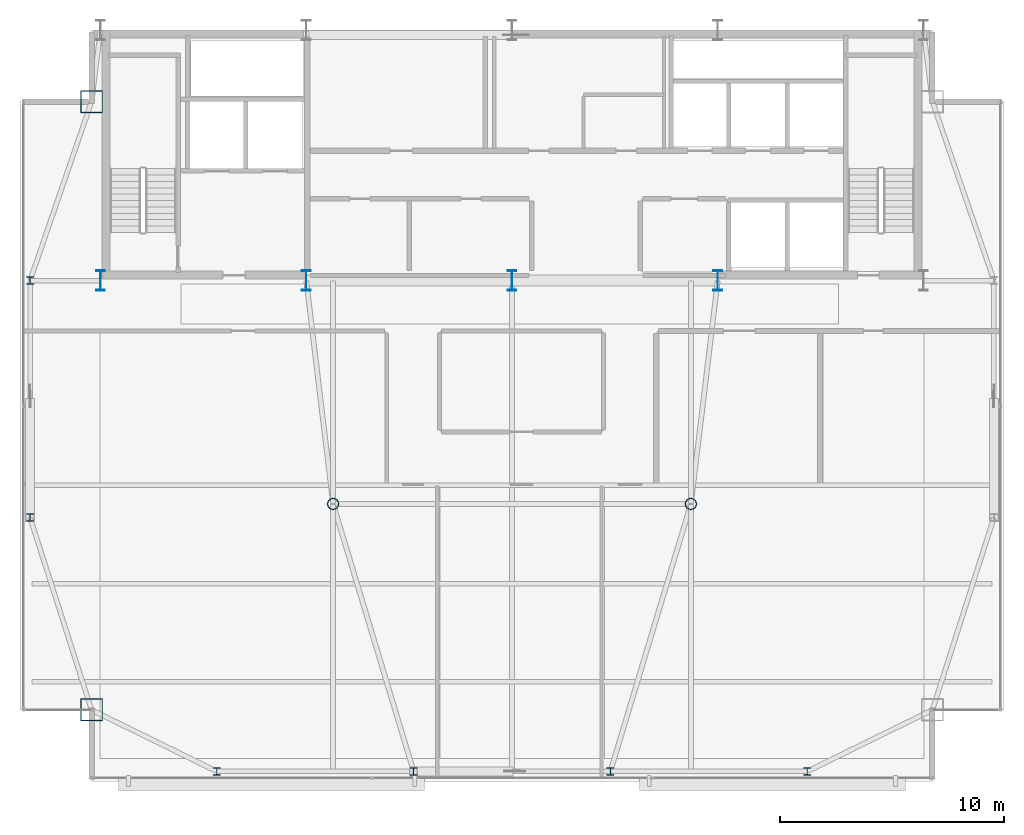
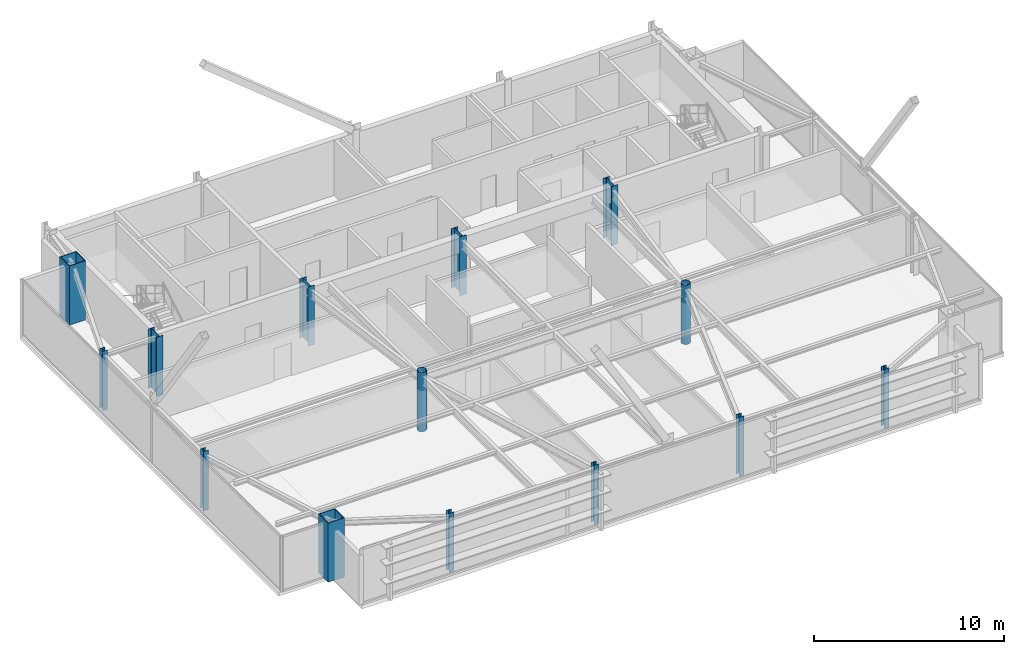
# One storey, part 1 of 24: 14 columns.
"""IFC4 building model written with IfcOpenShell, lengths in metres."""

from ifc_helpers import new_model, si_unit, direction, frame, origin, origin_2d, place, context, subcontext, project, spatial, hollow_rectangle, hollow_circle, i_section, extrude, source, transform, mapped, material, material_profile, profile_set, type_object, type_shapes, element, save


model = new_model("IFC4")

# Units and contexts
model_context = context("Model", 3, precision=1e-05, world=origin(), true_north=direction((0.0, 1.0)))
body_context = subcontext(model_context, "Body", "Model", "MODEL_VIEW")
ifc_project = project(units=[si_unit("LENGTHUNIT", "METRE"), si_unit("AREAUNIT", "SQUARE_METRE"), si_unit("VOLUMEUNIT", "CUBIC_METRE"), si_unit("PLANEANGLEUNIT", "RADIAN"), si_unit("MASSUNIT", "GRAM", prefix="KILO")], contexts=[model_context])

# Site, building, storey
site_placement = place(None, origin())
site = spatial("IfcSite", under=ifc_project, at=site_placement, CompositionType="ELEMENT")
building_placement = place(site_placement, origin())
building = spatial("IfcBuilding", under=site, at=building_placement, Name="Varnel Quay Broadcast Tower", CompositionType="ELEMENT")
storey_placement = place(building_placement, frame((0.0, 0.0, 277.39990234375)))
storey = spatial("IfcBuildingStorey", under=building, at=storey_placement, Name="L69", CompositionType="ELEMENT", Elevation=277.39990234375)

# Columns
ifc_material_1 = material(Name="Structural Steel CSA G40.21 350WT", Category="steel")
ifc_material_profile_1 = material_profile(ifc_material_1, i_section(OverallWidth=0.39990234375, OverallDepth=0.89990234375, WebThickness=0.01611328125, FlangeThickness=0.028076171875, FilletRadius=0.01611328125, at=origin_2d()), Name="WWF900X309")
ifc_profile_set_1 = profile_set([ifc_material_profile_1], Name="Structural Steel CSA G40.21 350WT")
column_type_1 = type_object("IfcColumnType", Name="Col_WWF900X309", PredefinedType="COLUMN", material=ifc_profile_set_1)
shared_shape_1 = source(origin(), body_context, "Body", "SweptSolid", [
    extrude(i_section(OverallWidth=0.39990234375, OverallDepth=0.89990234375, WebThickness=0.01611328125, FlangeThickness=0.028076171875, FilletRadius=0.01611328125, at=origin_2d()), origin(), (0.0, 0.0, 1.0), 3.800048828125),
])
type_shapes(column_type_1, [shared_shape_1])
for number, where, z_axis, x_axis, name in (
    (1, (15.60009765625, 35.60009765625, 0.0), (0.0, 0.0, 1.0), (1.0, 0.0, 0.0), "L69 Column CC-S1"),
    (2, (24.800048828125, 35.60009765625, 0.0), (0.0, 0.0, 1.0), (1.0, 0.0, 0.0), "L69 Column CC-S2"),
    (3, (34.0, 35.60009765625, 0.0), (0.0, 0.0, 1.0), (1.0, 0.0, 0.0), "L69 Column CC-S3"),
    (4, (43.199951171875, 35.60009765625, 0.0), (0.0, 0.0, 1.0), (1.0, 0.0, 0.0), "L69 Column CC-S4"),
):
    element("IfcColumn", number, at=place(storey_placement, frame(where, z_axis=z_axis, x_axis=x_axis)), inside=storey, type_object=column_type_1, Name=name, PredefinedType="COLUMN", context=body_context, shape_type="MappedRepresentation", body=[
        mapped(shared_shape_1, transform((0.0, 0.0, 0.0), x_axis=(1.0, 0.0, 0.0), y_axis=(0.0, 1.0, 0.0), z_axis=(0.0, 0.0, 1.0), scale=1.0)),
    ])
ifc_material_profile_2 = material_profile(ifc_material_1, hollow_rectangle(XDim=1.0, YDim=1.0, WallThickness=0.0400390625, at=origin_2d()), Name="BOX1000X1000X40")
ifc_profile_set_2 = profile_set([ifc_material_profile_2], Name="Structural Steel CSA G40.21 350WT")
column_type_2 = type_object("IfcColumnType", Name="Col_BOX1000X1000X40", PredefinedType="COLUMN", material=ifc_profile_set_2)
shared_shape_2 = source(origin(), body_context, "Body", "SweptSolid", [
    extrude(hollow_rectangle(XDim=1.0, YDim=1.0, WallThickness=0.0400390625, at=origin_2d()), origin(), (0.0, 0.0, 1.0), 3.800048828125),
])
type_shapes(column_type_2, [shared_shape_2])
for number, where, z_axis, x_axis, name in (
    (5, (15.199951171875, 16.39990234375, 0.0), (0.0, 0.0, 1.0), (1.0, 0.0, 0.0), "L69 Column MC-SW"),
    (6, (15.199951171875, 43.60009765625, 0.0), (0.0, 0.0, 1.0), (1.0, 0.0, 0.0), "L69 Column MC-NW"),
):
    element("IfcColumn", number, at=place(storey_placement, frame(where, z_axis=z_axis, x_axis=x_axis)), inside=storey, type_object=column_type_2, Name=name, PredefinedType="COLUMN", context=body_context, shape_type="MappedRepresentation", body=[
        mapped(shared_shape_2, transform((0.0, 0.0, 0.0), x_axis=(1.0, 0.0, 0.0), y_axis=(0.0, 1.0, 0.0), z_axis=(0.0, 0.0, 1.0), scale=1.0)),
    ])
ifc_material_2 = material(Name="Structural Steel CSA G40.21 350W", Category="steel")
ifc_material_profile_3 = material_profile(ifc_material_2, i_section(OverallWidth=0.30908203125, OverallDepth=0.322998046875, WebThickness=0.013916015625, FlangeThickness=0.02294921875, FilletRadius=0.014892578125, at=origin_2d()), Name="W310X143")
ifc_profile_set_3 = profile_set([ifc_material_profile_3], Name="Structural Steel CSA G40.21 350W")
column_type_3 = type_object("IfcColumnType", Name="Col_W310X143", PredefinedType="COLUMN", material=ifc_profile_set_3)
shared_shape_3 = source(origin(), body_context, "Body", "SweptSolid", [
    extrude(i_section(OverallWidth=0.30908203125, OverallDepth=0.322998046875, WebThickness=0.013916015625, FlangeThickness=0.02294921875, FilletRadius=0.014892578125, at=origin_2d()), origin(), (0.0, 0.0, 1.0), 3.800048828125),
])
type_shapes(column_type_3, [shared_shape_3])
for number, where, z_axis, x_axis, name in (
    (7, (20.800048828125, 13.64990234375, 0.0), (0.0, 0.0, 1.0), (1.0, 0.0, 0.0), "L69 Column TC-S1"),
    (8, (29.60009765625, 13.64990234375, 0.0), (0.0, 0.0, 1.0), (1.0, 0.0, 0.0), "L69 Column TC-S2"),
    (9, (38.39990234375, 13.64990234375, 0.0), (0.0, 0.0, 1.0), (1.0, 0.0, 0.0), "L69 Column TC-S3"),
    (10, (47.199951171875, 13.64990234375, 0.0), (0.0, 0.0, 1.0), (1.0, 0.0, 0.0), "L69 Column TC-S4"),
    (11, (12.449951171875, 25.0, 0.0), (0.0, 0.0, 1.0), (1.0, 0.0, 0.0), "L69 Column TC-W1"),
    (12, (12.449951171875, 35.60009765625, 0.0), (0.0, 0.0, 1.0), (1.0, 0.0, 0.0), "L69 Column TC-W2"),
):
    element("IfcColumn", number, at=place(storey_placement, frame(where, z_axis=z_axis, x_axis=x_axis)), inside=storey, type_object=column_type_3, Name=name, PredefinedType="COLUMN", context=body_context, shape_type="MappedRepresentation", body=[
        mapped(shared_shape_3, transform((0.0, 0.0, 0.0), x_axis=(1.0, 0.0, 0.0), y_axis=(0.0, 1.0, 0.0), z_axis=(0.0, 0.0, 1.0), scale=1.0)),
    ])
ifc_material_profile_4 = material_profile(ifc_material_2, hollow_circle(Radius=0.25390625, WallThickness=0.02001953125, at=origin_2d()), Name="CHS508X20")
ifc_profile_set_4 = profile_set([ifc_material_profile_4], Name="Structural Steel CSA G40.21 350W")
column_type_4 = type_object("IfcColumnType", Name="Col_CHS508X20", PredefinedType="COLUMN", material=ifc_profile_set_4)
shared_shape_4 = source(origin(), body_context, "Body", "SweptSolid", [
    extrude(hollow_circle(Radius=0.25390625, WallThickness=0.02001953125, at=origin_2d()), origin(), (0.0, 0.0, 1.0), 3.800048828125),
])
type_shapes(column_type_4, [shared_shape_4])
for number, where, z_axis, x_axis, name in (
    (13, (26.0, 25.610107421875, 0.0), (0.0, 0.0, 1.0), (1.0, 0.0, 0.0), "L69 Column IC-01"),
    (14, (42.0, 25.610107421875, 0.0), (0.0, 0.0, 1.0), (1.0, 0.0, 0.0), "L69 Column IC-02"),
):
    element("IfcColumn", number, at=place(storey_placement, frame(where, z_axis=z_axis, x_axis=x_axis)), inside=storey, type_object=column_type_4, Name=name, PredefinedType="COLUMN", context=body_context, shape_type="MappedRepresentation", body=[
        mapped(shared_shape_4, transform((0.0, 0.0, 0.0), x_axis=(1.0, 0.0, 0.0), y_axis=(0.0, 1.0, 0.0), z_axis=(0.0, 0.0, 1.0), scale=1.0)),
    ])

save(model, "model.ifc")
